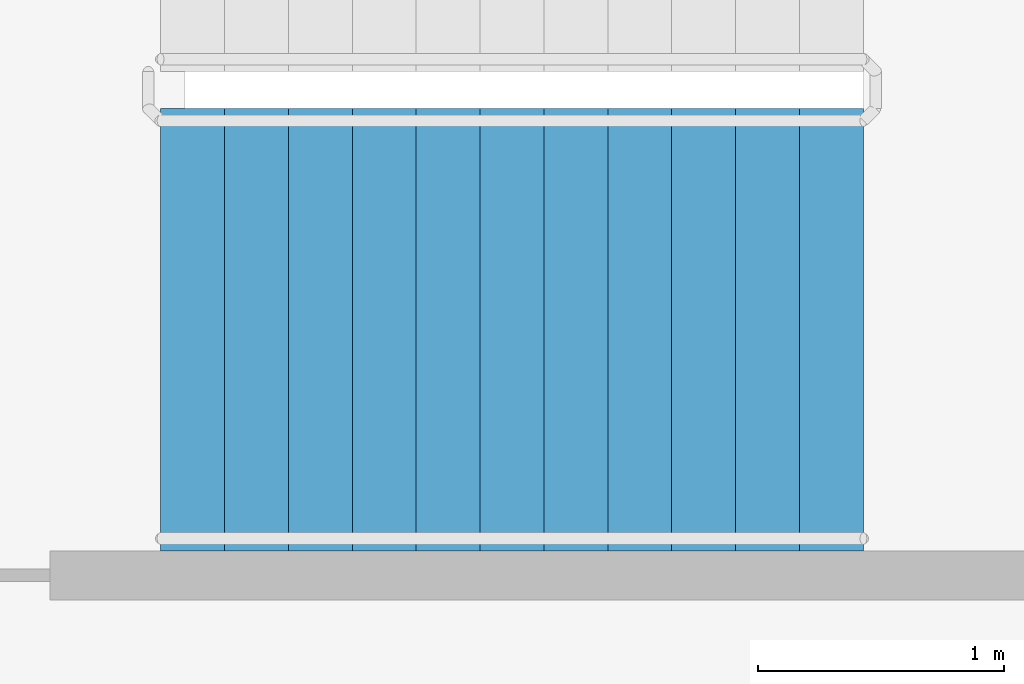
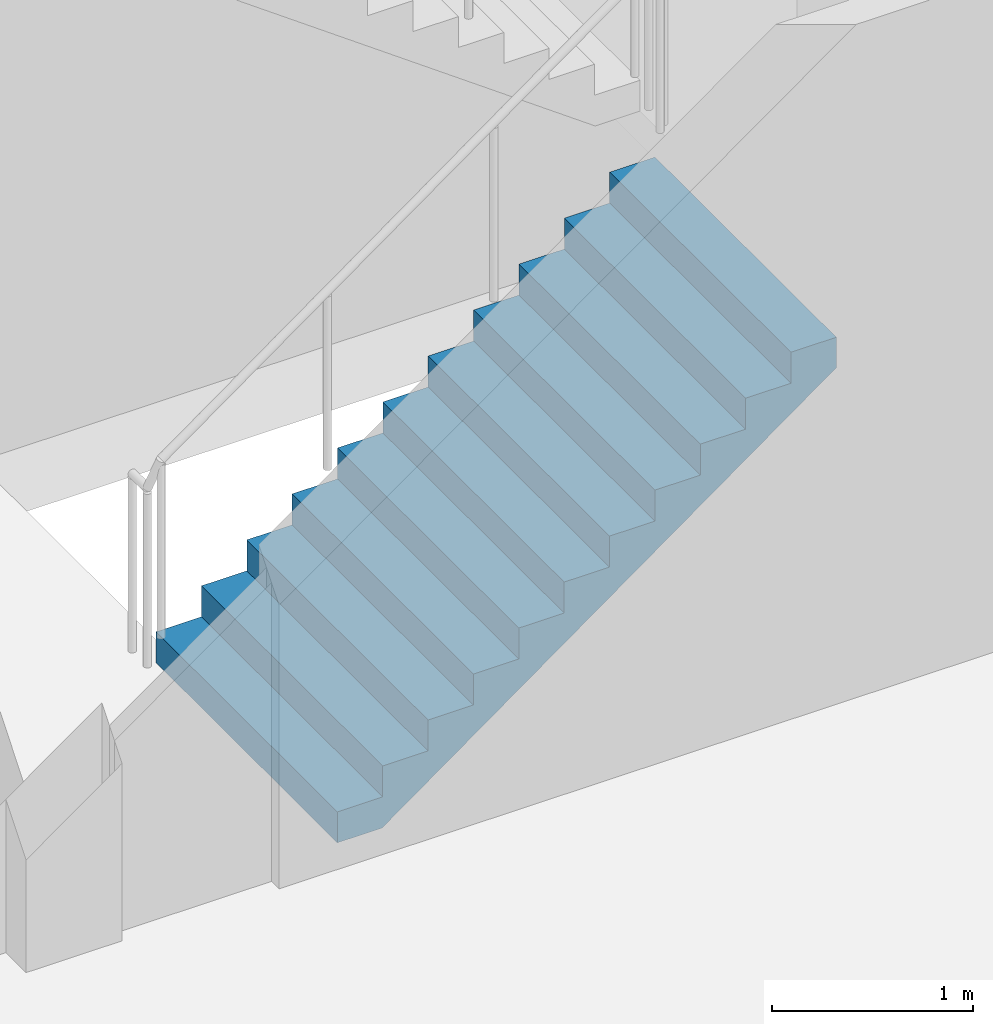
# One storey, part 36 of 51: 1 stair flight, 1 element without a shape of its own.
"""IFC4 building model written with IfcOpenShell, lengths in metres."""

from ifc_helpers import new_model, si_unit, direction, frame, origin, place, context, subcontext, project, spatial, faceted_brep, material, type_object, element, aggregate, save


model = new_model("IFC4")

# Units and contexts
model_context = context("Model", 3, precision=1e-05, world=origin(), true_north=direction((0.0, 1.0)))
body_context = subcontext(model_context, "Body", "Model", "MODEL_VIEW")
ifc_project = project(units=[si_unit("LENGTHUNIT", "METRE"), si_unit("AREAUNIT", "SQUARE_METRE"), si_unit("VOLUMEUNIT", "CUBIC_METRE"), si_unit("PLANEANGLEUNIT", "RADIAN"), si_unit("MASSUNIT", "GRAM", prefix="KILO")], contexts=[model_context])

# Site, building, storey
site_placement = place(None, origin())
site = spatial("IfcSite", under=ifc_project, at=site_placement, CompositionType="ELEMENT")
building_placement = place(site_placement, origin())
building = spatial("IfcBuilding", under=site, at=building_placement, Name="Ipe Terrace Towers", CompositionType="ELEMENT")
storey_placement = place(building_placement, frame((0.0, 0.0, 15.5)))
storey = spatial("IfcBuildingStorey", under=building, at=storey_placement, Name="L03", CompositionType="ELEMENT", Elevation=15.5)

# Stair, stair flight
ifc_material_1 = material(Name="Concrete C30/37", Category="concrete")
stair_type = type_object("IfcStairType", Name="Protected exit stair", PredefinedType="HALF_TURN_STAIR", material=ifc_material_1)
stair_placement = place(storey_placement, origin())
stair = element("IfcStair", 1, at=stair_placement, inside=storey, type_object=stair_type, Name="L03 Podium exit stair PS5", PredefinedType="HALF_TURN_STAIR")
ifc_material_2 = material(Name="Concrete C30/37", Category="concrete")
stair_flight_type = type_object("IfcStairFlightType", Name="Exit stair flight 1800", PredefinedType="STRAIGHT", material=ifc_material_2)
stair_flight_placement = place(storey_placement, frame((-3.75, -22.5, 0.0), z_axis=(0.0, 0.0, 1.0), x_axis=(1.0, 0.0, 0.0)))
stair_flight = element("IfcStairFlight", 2, at=stair_flight_placement, type_object=stair_flight_type, Name="PS5 flight 1", NumberOfRisers=12, NumberOfTreads=11, PredefinedType="STRAIGHT", RiserHeight=0.1875, TreadLength=0.26, context=body_context, shape_type="Brep", body=[
    faceted_brep([(0.25634765625, -0.89990234375, 0.0), (2.860107421875, -0.89990234375, 1.877685546875), (2.860107421875, -0.89990234375, 2.0625), (2.60009765625, -0.89990234375, 2.0625), (2.60009765625, -0.89990234375, 1.875), (2.340087890625, -0.89990234375, 1.875), (2.340087890625, -0.89990234375, 1.6875), (2.080078125, -0.89990234375, 1.6875), (2.080078125, -0.89990234375, 1.5), (1.820068359375, -0.89990234375, 1.5), (1.820068359375, -0.89990234375, 1.3125), (1.56005859375, -0.89990234375, 1.3125), (1.56005859375, -0.89990234375, 1.125), (1.300048828125, -0.89990234375, 1.125), (1.300048828125, -0.89990234375, 0.9375), (1.0400390625, -0.89990234375, 0.9375), (1.0400390625, -0.89990234375, 0.75), (0.780029296875, -0.89990234375, 0.75), (0.780029296875, -0.89990234375, 0.5625), (0.52001953125, -0.89990234375, 0.5625), (0.52001953125, -0.89990234375, 0.375), (0.260009765625, -0.89990234375, 0.375), (0.260009765625, -0.89990234375, 0.1875), (0.0, -0.89990234375, 0.1875), (0.0, -0.89990234375, 0.0), (0.0, 0.89990234375, 0.0), (0.0, 0.89990234375, 0.1875), (0.260009765625, 0.89990234375, 0.1875), (0.260009765625, 0.89990234375, 0.375), (0.52001953125, 0.89990234375, 0.375), (0.52001953125, 0.89990234375, 0.5625), (0.780029296875, 0.89990234375, 0.5625), (0.780029296875, 0.89990234375, 0.75), (1.0400390625, 0.89990234375, 0.75), (1.0400390625, 0.89990234375, 0.9375), (1.300048828125, 0.89990234375, 0.9375), (1.300048828125, 0.89990234375, 1.125), (1.56005859375, 0.89990234375, 1.125), (1.56005859375, 0.89990234375, 1.3125), (1.820068359375, 0.89990234375, 1.3125), (1.820068359375, 0.89990234375, 1.5), (2.080078125, 0.89990234375, 1.5), (2.080078125, 0.89990234375, 1.6875), (2.340087890625, 0.89990234375, 1.6875), (2.340087890625, 0.89990234375, 1.875), (2.60009765625, 0.89990234375, 1.875), (2.60009765625, 0.89990234375, 2.0625), (2.860107421875, 0.89990234375, 2.0625), (2.860107421875, 0.89990234375, 1.877685546875), (0.25634765625, 0.89990234375, 0.0), (0.0, -0.300048828125, 0.1875), (0.0, -0.1201171875, 0.1875), (0.0, -0.06005859375, 0.1875), (0.0, -0.030029296875, 0.1875), (0.0, -0.010009765625, 0.1875), (0.0, 0.0, 0.1875), (0.0, 0.010009765625, 0.1875), (0.0, 0.030029296875, 0.1875), (0.0, 0.06005859375, 0.1875), (0.0, 0.1201171875, 0.1875), (0.0, 0.300048828125, 0.1875), (0.0, 0.300048828125, 0.0), (0.0, 0.1201171875, 0.0), (0.0, 0.06005859375, 0.0), (0.0, 0.030029296875, 0.0), (0.0, 0.010009765625, 0.0), (0.0, 0.0, 0.0), (0.0, -0.010009765625, 0.0), (0.0, -0.030029296875, 0.0), (0.0, -0.06005859375, 0.0), (0.0, -0.1201171875, 0.0), (0.0, -0.300048828125, 0.0), (0.260009765625, -0.300048828125, 0.1875), (0.260009765625, -0.1201171875, 0.1875), (0.260009765625, -0.06005859375, 0.1875), (0.260009765625, -0.030029296875, 0.1875), (0.260009765625, -0.010009765625, 0.1875), (0.260009765625, 0.0, 0.1875), (0.260009765625, 0.010009765625, 0.1875), (0.260009765625, 0.030029296875, 0.1875), (0.260009765625, 0.06005859375, 0.1875), (0.260009765625, 0.1201171875, 0.1875), (0.260009765625, 0.300048828125, 0.1875), (0.260009765625, -0.300048828125, 0.375), (0.260009765625, -0.1201171875, 0.375), (0.260009765625, -0.06005859375, 0.375), (0.260009765625, -0.030029296875, 0.375), (0.260009765625, -0.010009765625, 0.375), (0.260009765625, 0.0, 0.375), (0.260009765625, 0.010009765625, 0.375), (0.260009765625, 0.030029296875, 0.375), (0.260009765625, 0.06005859375, 0.375), (0.260009765625, 0.1201171875, 0.375), (0.260009765625, 0.300048828125, 0.375), (0.52001953125, -0.300048828125, 0.375), (0.52001953125, -0.1201171875, 0.375), (0.52001953125, -0.06005859375, 0.375), (0.52001953125, -0.030029296875, 0.375), (0.52001953125, -0.010009765625, 0.375), (0.52001953125, 0.0, 0.375), (0.52001953125, 0.010009765625, 0.375), (0.52001953125, 0.030029296875, 0.375), (0.52001953125, 0.06005859375, 0.375), (0.52001953125, 0.1201171875, 0.375), (0.52001953125, 0.300048828125, 0.375), (0.52001953125, -0.300048828125, 0.5625), (0.52001953125, -0.1201171875, 0.5625), (0.52001953125, -0.06005859375, 0.5625), (0.52001953125, -0.030029296875, 0.5625), (0.52001953125, -0.010009765625, 0.5625), (0.52001953125, 0.0, 0.5625), (0.52001953125, 0.010009765625, 0.5625), (0.52001953125, 0.030029296875, 0.5625), (0.52001953125, 0.06005859375, 0.5625), (0.52001953125, 0.1201171875, 0.5625), (0.52001953125, 0.300048828125, 0.5625), (0.780029296875, -0.300048828125, 0.5625), (0.780029296875, -0.1201171875, 0.5625), (0.780029296875, -0.06005859375, 0.5625), (0.780029296875, -0.030029296875, 0.5625), (0.780029296875, -0.010009765625, 0.5625), (0.780029296875, 0.0, 0.5625), (0.780029296875, 0.010009765625, 0.5625), (0.780029296875, 0.030029296875, 0.5625), (0.780029296875, 0.06005859375, 0.5625), (0.780029296875, 0.1201171875, 0.5625), (0.780029296875, 0.300048828125, 0.5625), (0.780029296875, -0.300048828125, 0.75), (0.780029296875, -0.1201171875, 0.75), (0.780029296875, -0.06005859375, 0.75), (0.780029296875, -0.030029296875, 0.75), (0.780029296875, -0.010009765625, 0.75), (0.780029296875, 0.0, 0.75), (0.780029296875, 0.010009765625, 0.75), (0.780029296875, 0.030029296875, 0.75), (0.780029296875, 0.06005859375, 0.75), (0.780029296875, 0.1201171875, 0.75), (0.780029296875, 0.300048828125, 0.75), (1.0400390625, -0.300048828125, 0.75), (1.0400390625, -0.1201171875, 0.75), (1.0400390625, -0.06005859375, 0.75), (1.0400390625, -0.030029296875, 0.75), (1.0400390625, -0.010009765625, 0.75), (1.0400390625, 0.0, 0.75), (1.0400390625, 0.010009765625, 0.75), (1.0400390625, 0.030029296875, 0.75), (1.0400390625, 0.06005859375, 0.75), (1.0400390625, 0.1201171875, 0.75), (1.0400390625, 0.300048828125, 0.75), (1.0400390625, -0.300048828125, 0.9375), (1.0400390625, -0.1201171875, 0.9375), (1.0400390625, -0.06005859375, 0.9375), (1.0400390625, -0.030029296875, 0.9375), (1.0400390625, -0.010009765625, 0.9375), (1.0400390625, 0.0, 0.9375), (1.0400390625, 0.010009765625, 0.9375), (1.0400390625, 0.030029296875, 0.9375), (1.0400390625, 0.06005859375, 0.9375), (1.0400390625, 0.1201171875, 0.9375), (1.0400390625, 0.300048828125, 0.9375), (1.300048828125, -0.300048828125, 0.9375), (1.300048828125, -0.1201171875, 0.9375), (1.300048828125, -0.06005859375, 0.9375), (1.300048828125, -0.030029296875, 0.9375), (1.300048828125, -0.010009765625, 0.9375), (1.300048828125, 0.0, 0.9375), (1.300048828125, 0.010009765625, 0.9375), (1.300048828125, 0.030029296875, 0.9375), (1.300048828125, 0.06005859375, 0.9375), (1.300048828125, 0.1201171875, 0.9375), (1.300048828125, 0.300048828125, 0.9375), (1.300048828125, -0.300048828125, 1.125), (1.300048828125, -0.1201171875, 1.125), (1.300048828125, -0.06005859375, 1.125), (1.300048828125, -0.030029296875, 1.125), (1.300048828125, -0.010009765625, 1.125), (1.300048828125, 0.0, 1.125), (1.300048828125, 0.010009765625, 1.125), (1.300048828125, 0.030029296875, 1.125), (1.300048828125, 0.06005859375, 1.125), (1.300048828125, 0.1201171875, 1.125), (1.300048828125, 0.300048828125, 1.125), (1.56005859375, -0.300048828125, 1.125), (1.56005859375, -0.1201171875, 1.125), (1.56005859375, -0.06005859375, 1.125), (1.56005859375, -0.030029296875, 1.125), (1.56005859375, -0.010009765625, 1.125), (1.56005859375, 0.0, 1.125), (1.56005859375, 0.010009765625, 1.125), (1.56005859375, 0.030029296875, 1.125), (1.56005859375, 0.06005859375, 1.125), (1.56005859375, 0.1201171875, 1.125), (1.56005859375, 0.300048828125, 1.125), (1.56005859375, -0.300048828125, 1.3125), (1.56005859375, -0.1201171875, 1.3125), (1.56005859375, -0.06005859375, 1.3125), (1.56005859375, -0.030029296875, 1.3125), (1.56005859375, -0.010009765625, 1.3125), (1.56005859375, 0.0, 1.3125), (1.56005859375, 0.010009765625, 1.3125), (1.56005859375, 0.030029296875, 1.3125), (1.56005859375, 0.06005859375, 1.3125), (1.56005859375, 0.1201171875, 1.3125), (1.56005859375, 0.300048828125, 1.3125), (1.820068359375, -0.300048828125, 1.3125), (1.820068359375, -0.1201171875, 1.3125), (1.820068359375, -0.06005859375, 1.3125), (1.820068359375, -0.030029296875, 1.3125), (1.820068359375, -0.010009765625, 1.3125), (1.820068359375, 0.0, 1.3125), (1.820068359375, 0.010009765625, 1.3125), (1.820068359375, 0.030029296875, 1.3125), (1.820068359375, 0.06005859375, 1.3125), (1.820068359375, 0.1201171875, 1.3125), (1.820068359375, 0.300048828125, 1.3125), (1.820068359375, -0.300048828125, 1.5), (1.820068359375, -0.1201171875, 1.5), (1.820068359375, -0.06005859375, 1.5), (1.820068359375, -0.030029296875, 1.5), (1.820068359375, -0.010009765625, 1.5), (1.820068359375, 0.0, 1.5), (1.820068359375, 0.010009765625, 1.5), (1.820068359375, 0.030029296875, 1.5), (1.820068359375, 0.06005859375, 1.5), (1.820068359375, 0.1201171875, 1.5), (1.820068359375, 0.300048828125, 1.5), (2.080078125, -0.300048828125, 1.5), (2.080078125, -0.1201171875, 1.5), (2.080078125, -0.06005859375, 1.5), (2.080078125, -0.030029296875, 1.5), (2.080078125, -0.010009765625, 1.5), (2.080078125, 0.0, 1.5), (2.080078125, 0.010009765625, 1.5), (2.080078125, 0.030029296875, 1.5), (2.080078125, 0.06005859375, 1.5), (2.080078125, 0.1201171875, 1.5), (2.080078125, 0.300048828125, 1.5), (2.080078125, -0.300048828125, 1.6875), (2.080078125, -0.1201171875, 1.6875), (2.080078125, -0.06005859375, 1.6875), (2.080078125, -0.030029296875, 1.6875), (2.080078125, -0.010009765625, 1.6875), (2.080078125, 0.0, 1.6875), (2.080078125, 0.010009765625, 1.6875), (2.080078125, 0.030029296875, 1.6875), (2.080078125, 0.06005859375, 1.6875), (2.080078125, 0.1201171875, 1.6875), (2.080078125, 0.300048828125, 1.6875), (2.340087890625, -0.300048828125, 1.6875), (2.340087890625, -0.1201171875, 1.6875), (2.340087890625, -0.06005859375, 1.6875), (2.340087890625, -0.030029296875, 1.6875), (2.340087890625, -0.010009765625, 1.6875), (2.340087890625, 0.0, 1.6875), (2.340087890625, 0.010009765625, 1.6875), (2.340087890625, 0.030029296875, 1.6875), (2.340087890625, 0.06005859375, 1.6875), (2.340087890625, 0.1201171875, 1.6875), (2.340087890625, 0.300048828125, 1.6875), (2.340087890625, -0.300048828125, 1.875), (2.340087890625, -0.1201171875, 1.875), (2.340087890625, -0.06005859375, 1.875), (2.340087890625, -0.030029296875, 1.875), (2.340087890625, -0.010009765625, 1.875), (2.340087890625, 0.0, 1.875), (2.340087890625, 0.010009765625, 1.875), (2.340087890625, 0.030029296875, 1.875), (2.340087890625, 0.06005859375, 1.875), (2.340087890625, 0.1201171875, 1.875), (2.340087890625, 0.300048828125, 1.875), (2.60009765625, -0.300048828125, 1.875), (2.60009765625, -0.1201171875, 1.875), (2.60009765625, -0.06005859375, 1.875), (2.60009765625, -0.030029296875, 1.875), (2.60009765625, -0.010009765625, 1.875), (2.60009765625, 0.0, 1.875), (2.60009765625, 0.010009765625, 1.875), (2.60009765625, 0.030029296875, 1.875), (2.60009765625, 0.06005859375, 1.875), (2.60009765625, 0.1201171875, 1.875), (2.60009765625, 0.300048828125, 1.875), (2.60009765625, -0.300048828125, 2.0625), (2.60009765625, -0.1201171875, 2.0625), (2.60009765625, -0.06005859375, 2.0625), (2.60009765625, -0.030029296875, 2.0625), (2.60009765625, -0.010009765625, 2.0625), (2.60009765625, 0.0, 2.0625), (2.60009765625, 0.010009765625, 2.0625), (2.60009765625, 0.030029296875, 2.0625), (2.60009765625, 0.06005859375, 2.0625), (2.60009765625, 0.1201171875, 2.0625), (2.60009765625, 0.300048828125, 2.0625), (2.860107421875, -0.300048828125, 2.0625), (2.860107421875, -0.1201171875, 2.0625), (2.860107421875, -0.06005859375, 2.0625), (2.860107421875, -0.030029296875, 2.0625), (2.860107421875, -0.010009765625, 2.0625), (2.860107421875, 0.0, 2.0625), (2.860107421875, 0.010009765625, 2.0625), (2.860107421875, 0.030029296875, 2.0625), (2.860107421875, 0.06005859375, 2.0625), (2.860107421875, 0.1201171875, 2.0625), (2.860107421875, 0.300048828125, 2.0625), (2.860107421875, -0.300048828125, 1.877685546875), (2.860107421875, -0.1201171875, 1.877685546875), (2.860107421875, -0.06005859375, 1.877685546875), (2.860107421875, -0.030029296875, 1.877685546875), (2.860107421875, -0.010009765625, 1.877685546875), (2.860107421875, 0.0, 1.877685546875), (2.860107421875, 0.010009765625, 1.877685546875), (2.860107421875, 0.030029296875, 1.877685546875), (2.860107421875, 0.06005859375, 1.877685546875), (2.860107421875, 0.1201171875, 1.877685546875), (2.860107421875, 0.300048828125, 1.877685546875), (0.25634765625, -0.300048828125, 0.0), (0.25634765625, -0.1201171875, 0.0), (0.25634765625, -0.06005859375, 0.0), (0.25634765625, -0.030029296875, 0.0), (0.25634765625, -0.010009765625, 0.0), (0.25634765625, 0.0, 0.0), (0.25634765625, 0.010009765625, 0.0), (0.25634765625, 0.030029296875, 0.0), (0.25634765625, 0.06005859375, 0.0), (0.25634765625, 0.1201171875, 0.0), (0.25634765625, 0.300048828125, 0.0)], [[[0, 1, 2, 3, 4, 5, 6, 7, 8, 9, 10, 11, 12, 13, 14, 15, 16, 17, 18, 19, 20, 21, 22, 23, 24]], [[25, 26, 27, 28, 29, 30, 31, 32, 33, 34, 35, 36, 37, 38, 39, 40, 41, 42, 43, 44, 45, 46, 47, 48, 49]], [[23, 50, 51, 52, 53, 54, 55, 56, 57, 58, 59, 60, 26, 25, 61, 62, 63, 64, 65, 66, 67, 68, 69, 70, 71, 24]], [[22, 72, 73, 74, 75, 76, 77, 78, 79, 80, 81, 82, 27, 26, 60, 59, 58, 57, 56, 55, 54, 53, 52, 51, 50, 23]], [[21, 83, 84, 85, 86, 87, 88, 89, 90, 91, 92, 93, 28, 27, 82, 81, 80, 79, 78, 77, 76, 75, 74, 73, 72, 22]], [[20, 94, 95, 96, 97, 98, 99, 100, 101, 102, 103, 104, 29, 28, 93, 92, 91, 90, 89, 88, 87, 86, 85, 84, 83, 21]], [[19, 105, 106, 107, 108, 109, 110, 111, 112, 113, 114, 115, 30, 29, 104, 103, 102, 101, 100, 99, 98, 97, 96, 95, 94, 20]], [[18, 116, 117, 118, 119, 120, 121, 122, 123, 124, 125, 126, 31, 30, 115, 114, 113, 112, 111, 110, 109, 108, 107, 106, 105, 19]], [[17, 127, 128, 129, 130, 131, 132, 133, 134, 135, 136, 137, 32, 31, 126, 125, 124, 123, 122, 121, 120, 119, 118, 117, 116, 18]], [[16, 138, 139, 140, 141, 142, 143, 144, 145, 146, 147, 148, 33, 32, 137, 136, 135, 134, 133, 132, 131, 130, 129, 128, 127, 17]], [[15, 149, 150, 151, 152, 153, 154, 155, 156, 157, 158, 159, 34, 33, 148, 147, 146, 145, 144, 143, 142, 141, 140, 139, 138, 16]], [[14, 160, 161, 162, 163, 164, 165, 166, 167, 168, 169, 170, 35, 34, 159, 158, 157, 156, 155, 154, 153, 152, 151, 150, 149, 15]], [[13, 171, 172, 173, 174, 175, 176, 177, 178, 179, 180, 181, 36, 35, 170, 169, 168, 167, 166, 165, 164, 163, 162, 161, 160, 14]], [[12, 182, 183, 184, 185, 186, 187, 188, 189, 190, 191, 192, 37, 36, 181, 180, 179, 178, 177, 176, 175, 174, 173, 172, 171, 13]], [[11, 193, 194, 195, 196, 197, 198, 199, 200, 201, 202, 203, 38, 37, 192, 191, 190, 189, 188, 187, 186, 185, 184, 183, 182, 12]], [[10, 204, 205, 206, 207, 208, 209, 210, 211, 212, 213, 214, 39, 38, 203, 202, 201, 200, 199, 198, 197, 196, 195, 194, 193, 11]], [[9, 215, 216, 217, 218, 219, 220, 221, 222, 223, 224, 225, 40, 39, 214, 213, 212, 211, 210, 209, 208, 207, 206, 205, 204, 10]], [[8, 226, 227, 228, 229, 230, 231, 232, 233, 234, 235, 236, 41, 40, 225, 224, 223, 222, 221, 220, 219, 218, 217, 216, 215, 9]], [[7, 237, 238, 239, 240, 241, 242, 243, 244, 245, 246, 247, 42, 41, 236, 235, 234, 233, 232, 231, 230, 229, 228, 227, 226, 8]], [[6, 248, 249, 250, 251, 252, 253, 254, 255, 256, 257, 258, 43, 42, 247, 246, 245, 244, 243, 242, 241, 240, 239, 238, 237, 7]], [[5, 259, 260, 261, 262, 263, 264, 265, 266, 267, 268, 269, 44, 43, 258, 257, 256, 255, 254, 253, 252, 251, 250, 249, 248, 6]], [[4, 270, 271, 272, 273, 274, 275, 276, 277, 278, 279, 280, 45, 44, 269, 268, 267, 266, 265, 264, 263, 262, 261, 260, 259, 5]], [[3, 281, 282, 283, 284, 285, 286, 287, 288, 289, 290, 291, 46, 45, 280, 279, 278, 277, 276, 275, 274, 273, 272, 271, 270, 4]], [[2, 292, 293, 294, 295, 296, 297, 298, 299, 300, 301, 302, 47, 46, 291, 290, 289, 288, 287, 286, 285, 284, 283, 282, 281, 3]], [[1, 303, 304, 305, 306, 307, 308, 309, 310, 311, 312, 313, 48, 47, 302, 301, 300, 299, 298, 297, 296, 295, 294, 293, 292, 2]], [[0, 314, 315, 316, 317, 318, 319, 320, 321, 322, 323, 324, 49, 48, 313, 312, 311, 310, 309, 308, 307, 306, 305, 304, 303, 1]], [[24, 71, 70, 69, 68, 67, 66, 65, 64, 63, 62, 61, 25, 49, 324, 323, 322, 321, 320, 319, 318, 317, 316, 315, 314, 0]]]),
])
aggregate(stair, [stair_flight])

save(model, "model.ifc")
